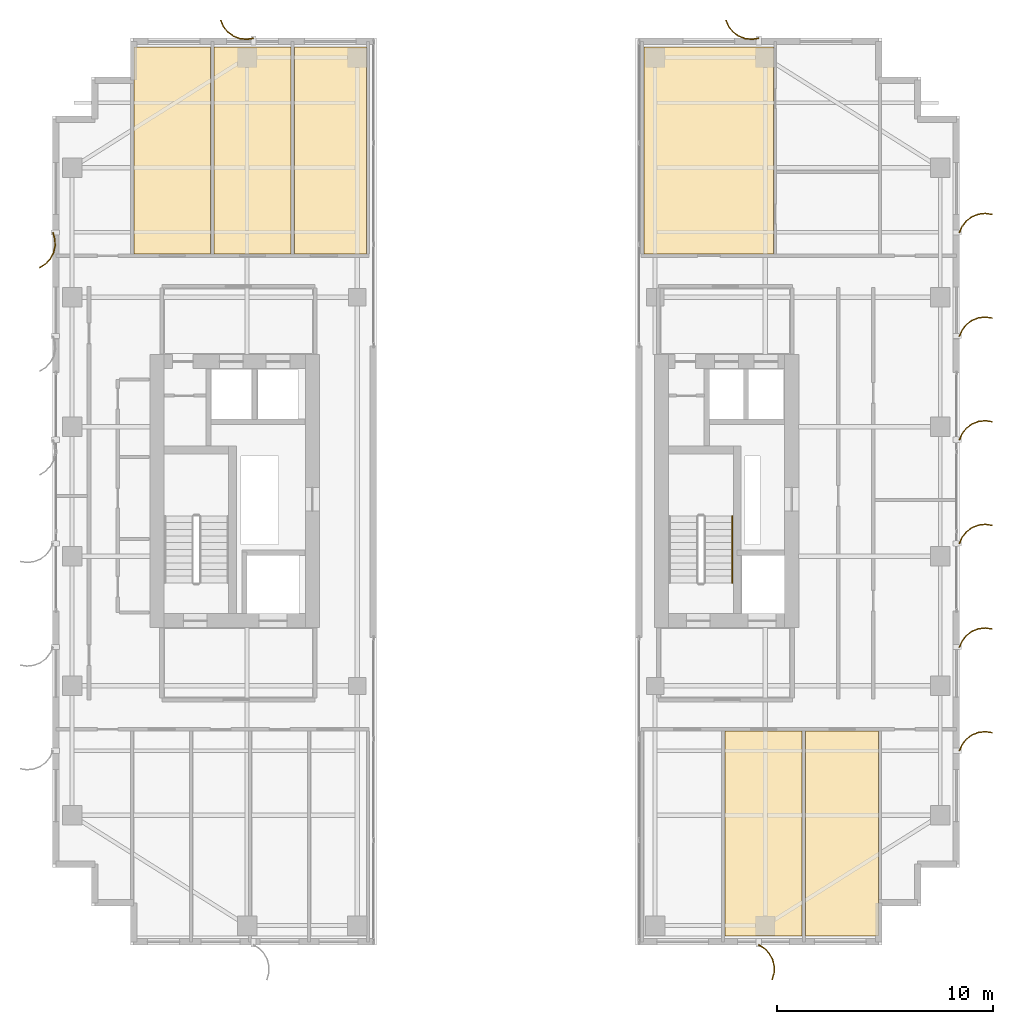
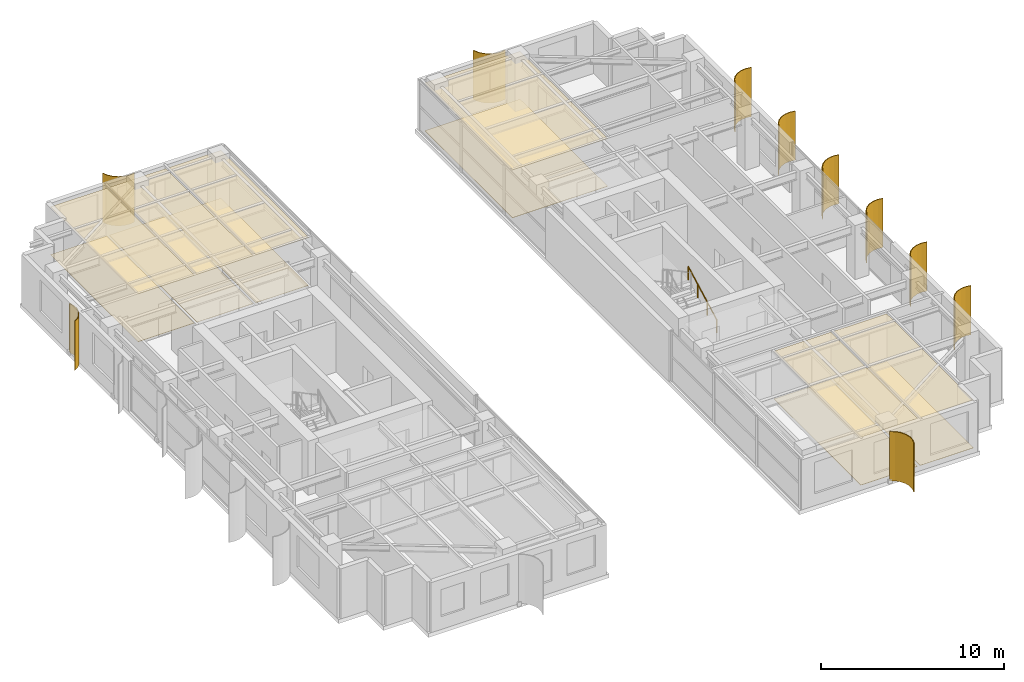
# One storey, part 22 of 22: 12 coverings, 10 shading devices, 1 railing.
"""IFC4 building model written with IfcOpenShell, lengths in metres."""

from ifc_helpers import new_model, si_unit, direction, frame, origin, origin_2d, place, context, subcontext, project, spatial, polyline, circle, outline, extrude, source, transform, mapped, material, layer, layer_set, type_object, element, save


model = new_model("IFC4")

# Units and contexts
model_context = context("Model", 3, precision=1e-05, world=origin(), true_north=direction((0.0, 1.0)))
body_context = subcontext(model_context, "Body", "Model", "MODEL_VIEW")
ifc_project = project(units=[si_unit("LENGTHUNIT", "METRE"), si_unit("AREAUNIT", "SQUARE_METRE"), si_unit("VOLUMEUNIT", "CUBIC_METRE"), si_unit("PLANEANGLEUNIT", "RADIAN"), si_unit("MASSUNIT", "GRAM", prefix="KILO")], contexts=[model_context])

# Site, building, storey
site_placement = place(None, origin())
site = spatial("IfcSite", under=ifc_project, at=site_placement, CompositionType="ELEMENT")
building_placement = place(site_placement, origin())
building = spatial("IfcBuilding", under=site, at=building_placement, Name="Khoralis Quay Care Tower", CompositionType="ELEMENT")
storey_placement = place(building_placement, frame((0.0, 0.0, 191.699951171875)))
storey = spatial("IfcBuildingStorey", under=building, at=storey_placement, Name="L50", CompositionType="ELEMENT", Elevation=191.699951171875)

# Coverings
ifc_material_1 = material(Name="Mineral-fibre acoustic ceiling tile")
ifc_layer_1 = layer(ifc_material_1, 0.01806640625)
ifc_layer_set_1 = layer_set([ifc_layer_1], Name="Mineral-fibre acoustic ceiling tile")
covering_type_1 = type_object("IfcCoveringType", Name="COV-CEIL-AC18", PredefinedType="CEILING", material=ifc_layer_set_1)
covering_1_placement = place(storey_placement, frame((0.0, 0.0, 3.192138671875)))
element("IfcCovering", 1, at=covering_1_placement, inside=storey, type_object=covering_type_1, Name="Suspended Acoustic Ceiling SP-L50-WN-COM0", PredefinedType="CEILING", context=body_context, shape_type="SweptSolid", body=[
    extrude(outline(polyline([(6.760009765625, 32.0), (10.31005859375, 32.0), (10.31005859375, 41.580078125), (6.760009765625, 41.580078125), (6.760009765625, 32.0)])), origin(), (0.0, 0.0, 1.0), 0.017822265625),
])
covering_2_placement = place(storey_placement, frame((0.0, 0.0, 3.192138671875)))
element("IfcCovering", 2, at=covering_2_placement, inside=storey, type_object=covering_type_1, Name="Suspended Acoustic Ceiling SP-L50-WN-COM1", PredefinedType="CEILING", context=body_context, shape_type="SweptSolid", body=[
    extrude(outline(polyline([(10.469970703125, 32.0), (14.030029296875, 32.0), (14.030029296875, 41.580078125), (10.469970703125, 41.580078125), (10.469970703125, 32.0)])), origin(), (0.0, 0.0, 1.0), 0.017822265625),
])
covering_3_placement = place(storey_placement, frame((0.0, 0.0, 3.192138671875)))
element("IfcCovering", 3, at=covering_3_placement, inside=storey, type_object=covering_type_1, Name="Suspended Acoustic Ceiling SP-L50-WN-COM2", PredefinedType="CEILING", context=body_context, shape_type="SweptSolid", body=[
    extrude(outline(polyline([(14.18994140625, 32.0), (17.52001953125, 32.0), (17.52001953125, 41.580078125), (14.18994140625, 41.580078125), (14.18994140625, 32.0)])), origin(), (0.0, 0.0, 1.0), 0.017822265625),
])
covering_4_placement = place(storey_placement, frame((0.0, 0.0, 3.192138671875)))
element("IfcCovering", 4, at=covering_4_placement, inside=storey, type_object=covering_type_1, Name="Suspended Acoustic Ceiling SP-L50-ES-COM1", PredefinedType="CEILING", context=body_context, shape_type="SweptSolid", body=[
    extrude(outline(polyline([(34.1298828125, 0.419921875), (37.7099609375, 0.419921875), (37.7099609375, 9.909912109375), (34.1298828125, 9.909912109375), (34.1298828125, 0.419921875)])), origin(), (0.0, 0.0, 1.0), 0.017822265625),
])
covering_5_placement = place(storey_placement, frame((0.0, 0.0, 3.192138671875)))
element("IfcCovering", 5, at=covering_5_placement, inside=storey, type_object=covering_type_1, Name="Suspended Acoustic Ceiling SP-L50-ES-COM2", PredefinedType="CEILING", context=body_context, shape_type="SweptSolid", body=[
    extrude(outline(polyline([(37.8701171875, 0.419921875), (41.239990234375, 0.419921875), (41.239990234375, 9.909912109375), (37.8701171875, 9.909912109375), (37.8701171875, 0.419921875)])), origin(), (0.0, 0.0, 1.0), 0.017822265625),
])
covering_6_placement = place(storey_placement, frame((0.0, 0.0, 3.192138671875)))
element("IfcCovering", 6, at=covering_6_placement, inside=storey, type_object=covering_type_1, Name="Suspended Acoustic Ceiling SP-L50-EN-STU0", PredefinedType="CEILING", context=body_context, shape_type="SweptSolid", body=[
    extrude(outline(polyline([(30.3798828125, 32.0), (36.39111328125, 32.0), (36.39111328125, 41.580078125), (30.3798828125, 41.580078125), (30.3798828125, 32.0)])), origin(), (0.0, 0.0, 1.0), 0.017822265625),
])
ifc_material_2 = material(Name="Porcelain and non-slip vinyl flooring")
ifc_layer_2 = layer(ifc_material_2, 0.02001953125)
ifc_layer_set_2 = layer_set([ifc_layer_2], Name="Porcelain and non-slip vinyl flooring")
covering_type_2 = type_object("IfcCoveringType", Name="COV-FLOOR-20", PredefinedType="FLOORING", material=ifc_layer_set_2)
covering_7_placement = place(storey_placement, origin())
element("IfcCovering", 7, at=covering_7_placement, inside=storey, type_object=covering_type_2, Name="Resilient Healthcare Flooring SP-L50-WN-COM0", PredefinedType="FLOORING", context=body_context, shape_type="SweptSolid", body=[
    extrude(outline(polyline([(6.760009765625, 32.0), (10.31005859375, 32.0), (10.31005859375, 41.580078125), (6.760009765625, 41.580078125), (6.760009765625, 32.0)])), origin(), (0.0, 0.0, 1.0), 0.02001953125),
])
covering_8_placement = place(storey_placement, origin())
element("IfcCovering", 8, at=covering_8_placement, inside=storey, type_object=covering_type_2, Name="Resilient Healthcare Flooring SP-L50-WN-COM1", PredefinedType="FLOORING", context=body_context, shape_type="SweptSolid", body=[
    extrude(outline(polyline([(10.469970703125, 32.0), (14.030029296875, 32.0), (14.030029296875, 41.580078125), (10.469970703125, 41.580078125), (10.469970703125, 32.0)])), origin(), (0.0, 0.0, 1.0), 0.02001953125),
])
covering_9_placement = place(storey_placement, origin())
element("IfcCovering", 9, at=covering_9_placement, inside=storey, type_object=covering_type_2, Name="Resilient Healthcare Flooring SP-L50-WN-COM2", PredefinedType="FLOORING", context=body_context, shape_type="SweptSolid", body=[
    extrude(outline(polyline([(14.18994140625, 32.0), (17.52001953125, 32.0), (17.52001953125, 41.580078125), (14.18994140625, 41.580078125), (14.18994140625, 32.0)])), origin(), (0.0, 0.0, 1.0), 0.02001953125),
])
covering_10_placement = place(storey_placement, origin())
element("IfcCovering", 10, at=covering_10_placement, inside=storey, type_object=covering_type_2, Name="Resilient Healthcare Flooring SP-L50-ES-COM1", PredefinedType="FLOORING", context=body_context, shape_type="SweptSolid", body=[
    extrude(outline(polyline([(34.1298828125, 0.419921875), (37.7099609375, 0.419921875), (37.7099609375, 9.909912109375), (34.1298828125, 9.909912109375), (34.1298828125, 0.419921875)])), origin(), (0.0, 0.0, 1.0), 0.02001953125),
])
covering_11_placement = place(storey_placement, origin())
element("IfcCovering", 11, at=covering_11_placement, inside=storey, type_object=covering_type_2, Name="Resilient Healthcare Flooring SP-L50-ES-COM2", PredefinedType="FLOORING", context=body_context, shape_type="SweptSolid", body=[
    extrude(outline(polyline([(37.8701171875, 0.419921875), (41.239990234375, 0.419921875), (41.239990234375, 9.909912109375), (37.8701171875, 9.909912109375), (37.8701171875, 0.419921875)])), origin(), (0.0, 0.0, 1.0), 0.02001953125),
])
covering_12_placement = place(storey_placement, origin())
element("IfcCovering", 12, at=covering_12_placement, inside=storey, type_object=covering_type_2, Name="Resilient Healthcare Flooring SP-L50-EN-STU0", PredefinedType="FLOORING", context=body_context, shape_type="SweptSolid", body=[
    extrude(outline(polyline([(30.3798828125, 32.0), (36.39111328125, 32.0), (36.39111328125, 41.580078125), (30.3798828125, 41.580078125), (30.3798828125, 32.0)])), origin(), (0.0, 0.0, 1.0), 0.02001953125),
])

# Railing
ifc_material_3 = material(Name="Brushed stainless steel", Category="steel")
railing_type = type_object("IfcRailingType", Name="RL-HAND-900", PredefinedType="HANDRAIL", material=ifc_material_3)
railing_placement = place(storey_placement, frame((34.469970703125, 16.77001953125, 0.16357421875)))
element("IfcRailing", 13, at=railing_placement, inside=storey, type_object=railing_type, Name="L50 ST-T2 stair handrail 1", PredefinedType="HANDRAIL", context=body_context, shape_type="SweptSolid", body=[
    extrude(circle(Radius=0.02392578125, at=origin_2d()), frame((0.0, 0.0, 0.8759765625), z_axis=(0.0, 0.884348015382, 0.466828220752), x_axis=(-1.0, 0.0, 0.0)), (0.0, 0.0, 1.0), 3.505615234375),
    extrude(circle(Radius=0.02099609375, at=origin_2d()), origin(), (0.0, 0.0, 1.0), 0.851806640625),
    extrude(circle(Radius=0.02099609375, at=origin_2d()), frame((0.0, 1.033447265625, 0.54541015625)), (0.0, 0.0, 1.0), 0.851806640625),
    extrude(circle(Radius=0.02099609375, at=origin_2d()), frame((0.0, 2.066650390625, 1.091064453125)), (0.0, 0.0, 1.0), 0.851806640625),
    extrude(circle(Radius=0.02099609375, at=origin_2d()), frame((0.0, 3.10009765625, 1.636474609375)), (0.0, 0.0, 1.0), 0.851806640625),
])

# Shading devices
ifc_material_4 = material(Name="Brushed pale anodised aluminium", Category="aluminium")
ifc_layer_3 = layer(ifc_material_4, 0.044921875)
ifc_layer_set_3 = layer_set([ifc_layer_3], Name="Brushed pale anodised aluminium")
shading_device_type = type_object("IfcShadingDeviceType", Name="SHD-FIN-1250", PredefinedType="USERDEFINED", material=ifc_layer_set_3)
shared_shape_1 = source(origin(), body_context, "Body", "SweptSolid", [
    extrude(outline(polyline([(0.0, 0.0), (0.17041015625, 0.2783203125), (0.4072265625, 0.5029296875), (0.694091796875, 0.658447265625), (1.01123046875, 0.734619140625), (1.33740234375, 0.72607421875), (1.650390625, 0.633544921875), (1.632080078125, 0.59228515625), (1.330322265625, 0.681640625), (1.015869140625, 0.68994140625), (0.710205078125, 0.616455078125), (0.43359375, 0.466552734375), (0.20556640625, 0.25), (0.041015625, -0.018310546875), (0.0, 0.0)])), origin(), (0.0, 0.0, 1.0), 3.280029296875),
])
shading_device_1_placement = place(storey_placement, frame((35.699951171875, 0.030029296875, 0.02001953125), z_axis=(0.0, 0.0, 1.0), x_axis=(0.0, -1.0, 0.0)))
element("IfcShadingDevice", 14, at=shading_device_1_placement, inside=storey, type_object=shading_device_type, Name="L50 Curved Solar Fin P2E0-01", ObjectType="FIN", PredefinedType="USERDEFINED", context=body_context, shape_type="MappedRepresentation", body=[
    mapped(shared_shape_1, transform((0.0, 0.0, 0.0), scale=1.0)),
])
shared_shape_2 = source(origin(), body_context, "Body", "SweptSolid", [
    extrude(outline(polyline([(0.0, 0.0), (-0.04833984375, 0.32275390625), (-0.01123046875, 0.64697265625), (0.1083984375, 0.950439453125), (0.302490234375, 1.212890625), (0.557861328125, 1.416015625), (0.85693359375, 1.546142578125), (0.869384765625, 1.5029296875), (0.5810546875, 1.37744140625), (0.334716796875, 1.181640625), (0.147705078125, 0.9287109375), (0.032470703125, 0.635986328125), (-0.003173828125, 0.323486328125), (0.043212890625, 0.012451171875), (0.0, 0.0)])), origin(), (0.0, 0.0, 1.0), 3.280029296875),
])
for number, where, z_axis, x_axis, name in (
    (15, (12.300048828125, 41.969970703125, 0.02001953125), (0.0, 0.0, 1.0), (0.0, 1.0, 0.0), "L50 Curved Solar Fin P1E2-01"),
    (16, (35.699951171875, 41.969970703125, 0.02001953125), (0.0, 0.0, 1.0), (0.0, 1.0, 0.0), "L50 Curved Solar Fin P2E10-01"),
):
    element("IfcShadingDevice", number, at=place(storey_placement, frame(where, z_axis=z_axis, x_axis=x_axis)), inside=storey, type_object=shading_device_type, Name=name, ObjectType="FIN", PredefinedType="USERDEFINED", context=body_context, shape_type="MappedRepresentation", body=[
        mapped(shared_shape_2, transform((0.0, 0.0, 0.0), scale=1.0)),
    ])
shared_shape_3 = source(origin(), body_context, "Body", "SweptSolid", [
    extrude(outline(polyline([(0.0, 0.0), (-0.0927734375, 0.31298828125), (-0.101318359375, 0.63916015625), (-0.025146484375, 0.956298828125), (0.130615234375, 1.2431640625), (0.355224609375, 1.479736328125), (0.633544921875, 1.650390625), (0.65185546875, 1.609130859375), (0.383544921875, 1.44482421875), (0.1669921875, 1.216796875), (0.01708984375, 0.940185546875), (-0.056396484375, 0.63427734375), (-0.04833984375, 0.31982421875), (0.041015625, 0.018310546875), (0.0, 0.0)])), origin(), (0.0, 0.0, 1.0), 3.280029296875),
])
shading_device_2_placement = place(storey_placement, frame((3.030029296875, 33.0, 0.02001953125), z_axis=(0.0, 0.0, 1.0), x_axis=(-1.0, 0.0, 0.0)))
element("IfcShadingDevice", 17, at=shading_device_2_placement, inside=storey, type_object=shading_device_type, Name="L50 Curved Solar Fin P1E7-01", ObjectType="FIN", PredefinedType="USERDEFINED", context=body_context, shape_type="MappedRepresentation", body=[
    mapped(shared_shape_3, transform((0.0, 0.0, 0.0), scale=1.0)),
])
shared_shape_4 = source(origin(), body_context, "Body", "SweptSolid", [
    extrude(outline(polyline([(0.0, 0.0), (0.130126953125, 0.29931640625), (0.333251953125, 0.5546875), (0.595458984375, 0.748779296875), (0.899169921875, 0.868408203125), (1.223388671875, 0.9052734375), (1.546142578125, 0.85693359375), (1.53369140625, 0.813720703125), (1.22265625, 0.8603515625), (0.91015625, 0.82470703125), (0.617431640625, 0.70947265625), (0.364501953125, 0.522216796875), (0.168701171875, 0.276123046875), (0.043212890625, -0.012451171875), (0.0, 0.0)])), origin(), (0.0, 0.0, 1.0), 3.280029296875),
])
for number, where, z_axis, x_axis, name in (
    (18, (44.969970703125, 9.0, 0.02001953125), (0.0, 0.0, 1.0), (1.0, 0.0, 0.0), "L50 Curved Solar Fin P2E5-01"),
    (19, (44.969970703125, 13.800048828125, 0.02001953125), (0.0, 0.0, 1.0), (1.0, 0.0, 0.0), "L50 Curved Solar Fin P2E5-02"),
    (20, (44.969970703125, 18.60009765625, 0.02001953125), (0.0, 0.0, 1.0), (1.0, 0.0, 0.0), "L50 Curved Solar Fin P2E5-03"),
    (21, (44.969970703125, 23.39990234375, 0.02001953125), (0.0, 0.0, 1.0), (1.0, 0.0, 0.0), "L50 Curved Solar Fin P2E5-04"),
    (22, (44.969970703125, 28.199951171875, 0.02001953125), (0.0, 0.0, 1.0), (1.0, 0.0, 0.0), "L50 Curved Solar Fin P2E5-05"),
    (23, (44.969970703125, 33.0, 0.02001953125), (0.0, 0.0, 1.0), (1.0, 0.0, 0.0), "L50 Curved Solar Fin P2E5-06"),
):
    element("IfcShadingDevice", number, at=place(storey_placement, frame(where, z_axis=z_axis, x_axis=x_axis)), inside=storey, type_object=shading_device_type, Name=name, ObjectType="FIN", PredefinedType="USERDEFINED", context=body_context, shape_type="MappedRepresentation", body=[
        mapped(shared_shape_4, transform((0.0, 0.0, 0.0), scale=1.0)),
    ])

save(model, "model.ifc")
